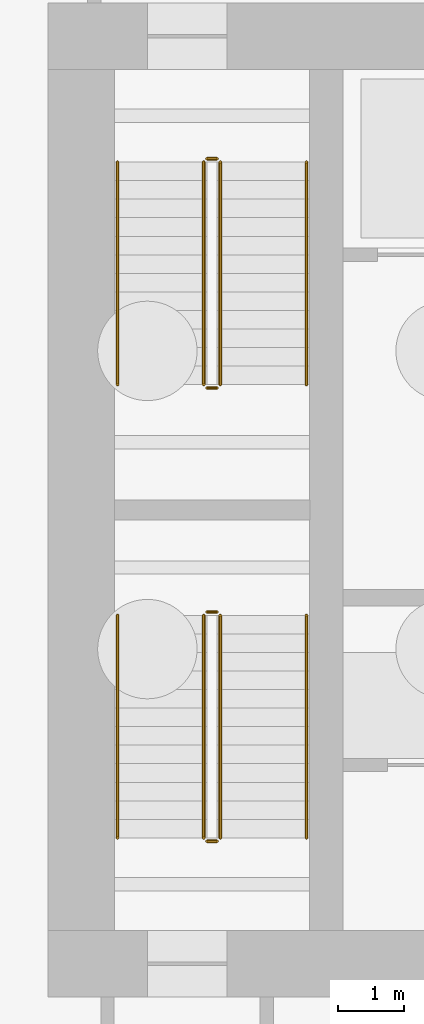
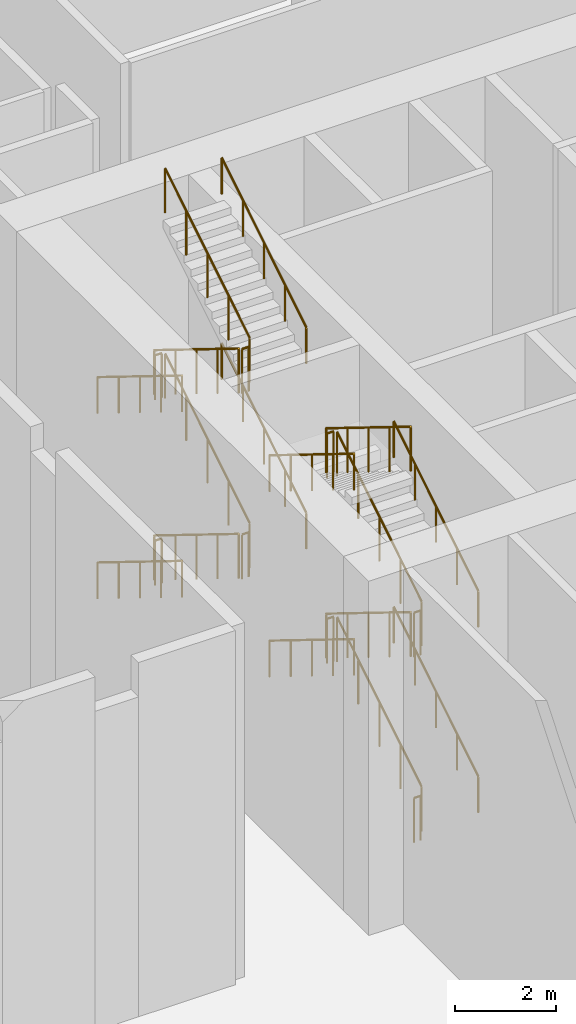
# One storey, part 23 of 32: 24 railings.
"""IFC4 building model written with IfcOpenShell, lengths in metres."""

from ifc_helpers import new_model, si_unit, direction, frame, origin, origin_2d, place, context, subcontext, project, spatial, circle, extrude, material, type_object, element, save


model = new_model("IFC4")

# Units and contexts
model_context = context("Model", 3, precision=1e-05, world=origin(), true_north=direction((0.0, 1.0)))
body_context = subcontext(model_context, "Body", "Model", "MODEL_VIEW")
ifc_project = project(units=[si_unit("LENGTHUNIT", "METRE"), si_unit("AREAUNIT", "SQUARE_METRE"), si_unit("VOLUMEUNIT", "CUBIC_METRE"), si_unit("PLANEANGLEUNIT", "RADIAN"), si_unit("MASSUNIT", "GRAM", prefix="KILO")], contexts=[model_context])

# Site, building, storey
site_placement = place(None, origin())
site = spatial("IfcSite", under=ifc_project, at=site_placement, CompositionType="ELEMENT")
building_placement = place(site_placement, origin())
building = spatial("IfcBuilding", under=site, at=building_placement, Name="Isthmus Gate Tower", CompositionType="ELEMENT")
storey_placement = place(building_placement, origin())
storey = spatial("IfcBuildingStorey", under=building, at=storey_placement, Name="L00", CompositionType="ELEMENT", Elevation=0.0)

# Railings
ifc_material_1 = material(Name="Stainless steel balustrade", Category="steel")
railing_type_1 = type_object("IfcRailingType", Name="STAIR GUARD 1100", PredefinedType="GUARDRAIL", material=ifc_material_1)
railing_1_placement = place(storey_placement, frame((-12.64990234375, 12.60009765625, 0.173095703125)))
element("IfcRailing", 1, at=railing_1_placement, inside=storey, type_object=railing_type_1, Name="L00 ST1 stair guard 1", PredefinedType="GUARDRAIL", context=body_context, shape_type="SweptSolid", body=[
    extrude(circle(Radius=0.02392578125, at=origin_2d()), frame((0.0, 0.0, 1.076171875), z_axis=(0.0, -0.850623216509, 0.525775754039), x_axis=(1.0, 0.0, 0.0)), (0.0, 0.0, 1.0), 3.9501953125),
    extrude(circle(Radius=0.02099609375, at=origin_2d()), origin(), (0.0, 0.0, 1.0), 1.052001953125),
    extrude(circle(Radius=0.02099609375, at=origin_2d()), frame((0.0, -0.840087890625, 0.519287109375)), (0.0, 0.0, 1.0), 1.052001953125),
    extrude(circle(Radius=0.02099609375, at=origin_2d()), frame((0.0, -1.68017578125, 1.03857421875)), (0.0, 0.0, 1.0), 1.052001953125),
    extrude(circle(Radius=0.02099609375, at=origin_2d()), frame((0.0, -2.52001953125, 1.5576171875)), (0.0, 0.0, 1.0), 1.052001953125),
    extrude(circle(Radius=0.02099609375, at=origin_2d()), frame((0.0, -3.360107421875, 2.076904296875)), (0.0, 0.0, 1.0), 1.052001953125),
])
railing_2_placement = place(storey_placement, frame((-12.60009765625, 9.18994140625, 2.25)))
element("IfcRailing", 2, at=railing_2_placement, inside=storey, type_object=railing_type_1, Name="L00 ST1 stair guard 2", PredefinedType="GUARDRAIL", context=body_context, shape_type="SweptSolid", body=[
    extrude(circle(Radius=0.02392578125, at=origin_2d()), frame((0.0, 0.0, 1.076171875), z_axis=(1.0, 0.0, 0.0), x_axis=(0.0, 1.0, 0.0)), (0.0, 0.0, 1.0), 0.150146484375),
    extrude(circle(Radius=0.02099609375, at=origin_2d()), origin(), (0.0, 0.0, 1.0), 1.052001953125),
    extrude(circle(Radius=0.02099609375, at=origin_2d()), frame((0.150146484375, 0.0, 0.0)), (0.0, 0.0, 1.0), 1.052001953125),
])
railing_3_placement = place(storey_placement, frame((-12.39990234375, 9.239990234375, 2.423095703125)))
element("IfcRailing", 3, at=railing_3_placement, inside=storey, type_object=railing_type_1, Name="L00 ST1 stair guard 3", PredefinedType="GUARDRAIL", context=body_context, shape_type="SweptSolid", body=[
    extrude(circle(Radius=0.02392578125, at=origin_2d()), frame((0.0, 0.0, 1.076171875), z_axis=(0.0, 0.850623216509, 0.525775754039), x_axis=(-1.0, 0.0, 0.0)), (0.0, 0.0, 1.0), 3.9501953125),
    extrude(circle(Radius=0.02099609375, at=origin_2d()), origin(), (0.0, 0.0, 1.0), 1.052001953125),
    extrude(circle(Radius=0.02099609375, at=origin_2d()), frame((0.0, 0.840087890625, 0.519287109375)), (0.0, 0.0, 1.0), 1.052001953125),
    extrude(circle(Radius=0.02099609375, at=origin_2d()), frame((0.0, 1.68017578125, 1.03857421875)), (0.0, 0.0, 1.0), 1.052001953125),
    extrude(circle(Radius=0.02099609375, at=origin_2d()), frame((0.0, 2.52001953125, 1.5576171875)), (0.0, 0.0, 1.0), 1.052001953125),
    extrude(circle(Radius=0.02099609375, at=origin_2d()), frame((0.0, 3.360107421875, 2.076904296875)), (0.0, 0.0, 1.0), 1.052001953125),
])
railing_4_placement = place(storey_placement, frame((-12.60009765625, 12.64990234375, 4.5)))
element("IfcRailing", 4, at=railing_4_placement, inside=storey, type_object=railing_type_1, Name="L00 ST1 stair guard 4", PredefinedType="GUARDRAIL", context=body_context, shape_type="SweptSolid", body=[
    extrude(circle(Radius=0.02392578125, at=origin_2d()), frame((0.0, 0.0, 1.076171875), z_axis=(1.0, 0.0, 0.0), x_axis=(0.0, 1.0, 0.0)), (0.0, 0.0, 1.0), 0.150146484375),
    extrude(circle(Radius=0.02099609375, at=origin_2d()), origin(), (0.0, 0.0, 1.0), 1.052001953125),
    extrude(circle(Radius=0.02099609375, at=origin_2d()), frame((0.150146484375, 0.0, 0.0)), (0.0, 0.0, 1.0), 1.052001953125),
])
railing_5_placement = place(storey_placement, frame((-12.64990234375, 12.60009765625, 4.673095703125)))
element("IfcRailing", 5, at=railing_5_placement, inside=storey, type_object=railing_type_1, Name="L00 ST1 stair guard 5", PredefinedType="GUARDRAIL", context=body_context, shape_type="SweptSolid", body=[
    extrude(circle(Radius=0.02392578125, at=origin_2d()), frame((0.0, 0.0, 1.076171875), z_axis=(0.0, -0.850623216509, 0.525775754039), x_axis=(1.0, 0.0, 0.0)), (0.0, 0.0, 1.0), 3.9501953125),
    extrude(circle(Radius=0.02099609375, at=origin_2d()), origin(), (0.0, 0.0, 1.0), 1.052001953125),
    extrude(circle(Radius=0.02099609375, at=origin_2d()), frame((0.0, -0.840087890625, 0.519287109375)), (0.0, 0.0, 1.0), 1.052001953125),
    extrude(circle(Radius=0.02099609375, at=origin_2d()), frame((0.0, -1.68017578125, 1.03857421875)), (0.0, 0.0, 1.0), 1.052001953125),
    extrude(circle(Radius=0.02099609375, at=origin_2d()), frame((0.0, -2.52001953125, 1.5576171875)), (0.0, 0.0, 1.0), 1.052001953125),
    extrude(circle(Radius=0.02099609375, at=origin_2d()), frame((0.0, -3.360107421875, 2.076904296875)), (0.0, 0.0, 1.0), 1.052001953125),
])
railing_6_placement = place(storey_placement, frame((-12.60009765625, 9.18994140625, 6.75)))
element("IfcRailing", 6, at=railing_6_placement, inside=storey, type_object=railing_type_1, Name="L00 ST1 stair guard 6", PredefinedType="GUARDRAIL", context=body_context, shape_type="SweptSolid", body=[
    extrude(circle(Radius=0.02392578125, at=origin_2d()), frame((0.0, 0.0, 1.076171875), z_axis=(1.0, 0.0, 0.0), x_axis=(0.0, 1.0, 0.0)), (0.0, 0.0, 1.0), 0.150146484375),
    extrude(circle(Radius=0.02099609375, at=origin_2d()), origin(), (0.0, 0.0, 1.0), 1.052001953125),
    extrude(circle(Radius=0.02099609375, at=origin_2d()), frame((0.150146484375, 0.0, 0.0)), (0.0, 0.0, 1.0), 1.052001953125),
])
railing_7_placement = place(storey_placement, frame((-12.39990234375, 9.239990234375, 6.923095703125)))
element("IfcRailing", 7, at=railing_7_placement, inside=storey, type_object=railing_type_1, Name="L00 ST1 stair guard 7", PredefinedType="GUARDRAIL", context=body_context, shape_type="SweptSolid", body=[
    extrude(circle(Radius=0.02392578125, at=origin_2d()), frame((0.0, 0.0, 1.076171875), z_axis=(0.0, 0.850623216509, 0.525775754039), x_axis=(-1.0, 0.0, 0.0)), (0.0, 0.0, 1.0), 3.9501953125),
    extrude(circle(Radius=0.02099609375, at=origin_2d()), origin(), (0.0, 0.0, 1.0), 1.052001953125),
    extrude(circle(Radius=0.02099609375, at=origin_2d()), frame((0.0, 0.840087890625, 0.519287109375)), (0.0, 0.0, 1.0), 1.052001953125),
    extrude(circle(Radius=0.02099609375, at=origin_2d()), frame((0.0, 1.68017578125, 1.03857421875)), (0.0, 0.0, 1.0), 1.052001953125),
    extrude(circle(Radius=0.02099609375, at=origin_2d()), frame((0.0, 2.52001953125, 1.5576171875)), (0.0, 0.0, 1.0), 1.052001953125),
    extrude(circle(Radius=0.02099609375, at=origin_2d()), frame((0.0, 3.360107421875, 2.076904296875)), (0.0, 0.0, 1.0), 1.052001953125),
])
railing_8_placement = place(storey_placement, frame((-12.60009765625, 12.64990234375, 0.0)))
element("IfcRailing", 8, at=railing_8_placement, inside=storey, type_object=railing_type_1, Name="L00 ST1 stair guard 8", PredefinedType="GUARDRAIL", context=body_context, shape_type="SweptSolid", body=[
    extrude(circle(Radius=0.02392578125, at=origin_2d()), frame((0.0, 0.0, 1.076171875), z_axis=(1.0, 0.0, 0.0), x_axis=(0.0, 1.0, 0.0)), (0.0, 0.0, 1.0), 0.150146484375),
    extrude(circle(Radius=0.02099609375, at=origin_2d()), origin(), (0.0, 0.0, 1.0), 1.052001953125),
    extrude(circle(Radius=0.02099609375, at=origin_2d()), frame((0.150146484375, 0.0, 0.0)), (0.0, 0.0, 1.0), 1.052001953125),
])
railing_9_placement = place(storey_placement, frame((-12.39990234375, 2.39990234375, 0.173095703125)))
element("IfcRailing", 9, at=railing_9_placement, inside=storey, type_object=railing_type_1, Name="L00 ST7 stair guard 1", PredefinedType="GUARDRAIL", context=body_context, shape_type="SweptSolid", body=[
    extrude(circle(Radius=0.02392578125, at=origin_2d()), frame((0.0, 0.0, 1.076171875), z_axis=(0.0, 0.850623216509, 0.525775754039), x_axis=(-1.0, 0.0, 0.0)), (0.0, 0.0, 1.0), 3.9501953125),
    extrude(circle(Radius=0.02099609375, at=origin_2d()), origin(), (0.0, 0.0, 1.0), 1.052001953125),
    extrude(circle(Radius=0.02099609375, at=origin_2d()), frame((0.0, 0.840087890625, 0.519287109375)), (0.0, 0.0, 1.0), 1.052001953125),
    extrude(circle(Radius=0.02099609375, at=origin_2d()), frame((0.0, 1.68017578125, 1.03857421875)), (0.0, 0.0, 1.0), 1.052001953125),
    extrude(circle(Radius=0.02099609375, at=origin_2d()), frame((0.0, 2.52001953125, 1.5576171875)), (0.0, 0.0, 1.0), 1.052001953125),
    extrude(circle(Radius=0.02099609375, at=origin_2d()), frame((0.0, 3.360107421875, 2.076904296875)), (0.0, 0.0, 1.0), 1.052001953125),
])
railing_10_placement = place(storey_placement, frame((-12.449951171875, 5.81005859375, 2.25)))
element("IfcRailing", 10, at=railing_10_placement, inside=storey, type_object=railing_type_1, Name="L00 ST7 stair guard 2", PredefinedType="GUARDRAIL", context=body_context, shape_type="SweptSolid", body=[
    extrude(circle(Radius=0.02392578125, at=origin_2d()), frame((0.0, 0.0, 1.076171875), z_axis=(-1.0, 0.0, 0.0), x_axis=(0.0, -1.0, 0.0)), (0.0, 0.0, 1.0), 0.150146484375),
    extrude(circle(Radius=0.02099609375, at=origin_2d()), origin(), (0.0, 0.0, 1.0), 1.052001953125),
    extrude(circle(Radius=0.02099609375, at=origin_2d()), frame((-0.150146484375, 0.0, 0.0)), (0.0, 0.0, 1.0), 1.052001953125),
])
railing_11_placement = place(storey_placement, frame((-12.64990234375, 5.760009765625, 2.423095703125)))
element("IfcRailing", 11, at=railing_11_placement, inside=storey, type_object=railing_type_1, Name="L00 ST7 stair guard 3", PredefinedType="GUARDRAIL", context=body_context, shape_type="SweptSolid", body=[
    extrude(circle(Radius=0.02392578125, at=origin_2d()), frame((0.0, 0.0, 1.076171875), z_axis=(0.0, -0.850623216509, 0.525775754039), x_axis=(1.0, 0.0, 0.0)), (0.0, 0.0, 1.0), 3.9501953125),
    extrude(circle(Radius=0.02099609375, at=origin_2d()), origin(), (0.0, 0.0, 1.0), 1.052001953125),
    extrude(circle(Radius=0.02099609375, at=origin_2d()), frame((0.0, -0.840087890625, 0.519287109375)), (0.0, 0.0, 1.0), 1.052001953125),
    extrude(circle(Radius=0.02099609375, at=origin_2d()), frame((0.0, -1.68017578125, 1.03857421875)), (0.0, 0.0, 1.0), 1.052001953125),
    extrude(circle(Radius=0.02099609375, at=origin_2d()), frame((0.0, -2.52001953125, 1.5576171875)), (0.0, 0.0, 1.0), 1.052001953125),
    extrude(circle(Radius=0.02099609375, at=origin_2d()), frame((0.0, -3.360107421875, 2.076904296875)), (0.0, 0.0, 1.0), 1.052001953125),
])
railing_12_placement = place(storey_placement, frame((-12.449951171875, 2.35009765625, 4.5)))
element("IfcRailing", 12, at=railing_12_placement, inside=storey, type_object=railing_type_1, Name="L00 ST7 stair guard 4", PredefinedType="GUARDRAIL", context=body_context, shape_type="SweptSolid", body=[
    extrude(circle(Radius=0.02392578125, at=origin_2d()), frame((0.0, 0.0, 1.076171875), z_axis=(-1.0, 0.0, 0.0), x_axis=(0.0, -1.0, 0.0)), (0.0, 0.0, 1.0), 0.150146484375),
    extrude(circle(Radius=0.02099609375, at=origin_2d()), origin(), (0.0, 0.0, 1.0), 1.052001953125),
    extrude(circle(Radius=0.02099609375, at=origin_2d()), frame((-0.150146484375, 0.0, 0.0)), (0.0, 0.0, 1.0), 1.052001953125),
])
railing_13_placement = place(storey_placement, frame((-12.39990234375, 2.39990234375, 4.673095703125)))
element("IfcRailing", 13, at=railing_13_placement, inside=storey, type_object=railing_type_1, Name="L00 ST7 stair guard 5", PredefinedType="GUARDRAIL", context=body_context, shape_type="SweptSolid", body=[
    extrude(circle(Radius=0.02392578125, at=origin_2d()), frame((0.0, 0.0, 1.076171875), z_axis=(0.0, 0.850623216509, 0.525775754039), x_axis=(-1.0, 0.0, 0.0)), (0.0, 0.0, 1.0), 3.9501953125),
    extrude(circle(Radius=0.02099609375, at=origin_2d()), origin(), (0.0, 0.0, 1.0), 1.052001953125),
    extrude(circle(Radius=0.02099609375, at=origin_2d()), frame((0.0, 0.840087890625, 0.519287109375)), (0.0, 0.0, 1.0), 1.052001953125),
    extrude(circle(Radius=0.02099609375, at=origin_2d()), frame((0.0, 1.68017578125, 1.03857421875)), (0.0, 0.0, 1.0), 1.052001953125),
    extrude(circle(Radius=0.02099609375, at=origin_2d()), frame((0.0, 2.52001953125, 1.5576171875)), (0.0, 0.0, 1.0), 1.052001953125),
    extrude(circle(Radius=0.02099609375, at=origin_2d()), frame((0.0, 3.360107421875, 2.076904296875)), (0.0, 0.0, 1.0), 1.052001953125),
])
railing_14_placement = place(storey_placement, frame((-12.449951171875, 5.81005859375, 6.75)))
element("IfcRailing", 14, at=railing_14_placement, inside=storey, type_object=railing_type_1, Name="L00 ST7 stair guard 6", PredefinedType="GUARDRAIL", context=body_context, shape_type="SweptSolid", body=[
    extrude(circle(Radius=0.02392578125, at=origin_2d()), frame((0.0, 0.0, 1.076171875), z_axis=(-1.0, 0.0, 0.0), x_axis=(0.0, -1.0, 0.0)), (0.0, 0.0, 1.0), 0.150146484375),
    extrude(circle(Radius=0.02099609375, at=origin_2d()), origin(), (0.0, 0.0, 1.0), 1.052001953125),
    extrude(circle(Radius=0.02099609375, at=origin_2d()), frame((-0.150146484375, 0.0, 0.0)), (0.0, 0.0, 1.0), 1.052001953125),
])
railing_15_placement = place(storey_placement, frame((-12.64990234375, 5.760009765625, 6.923095703125)))
element("IfcRailing", 15, at=railing_15_placement, inside=storey, type_object=railing_type_1, Name="L00 ST7 stair guard 7", PredefinedType="GUARDRAIL", context=body_context, shape_type="SweptSolid", body=[
    extrude(circle(Radius=0.02392578125, at=origin_2d()), frame((0.0, 0.0, 1.076171875), z_axis=(0.0, -0.850623216509, 0.525775754039), x_axis=(1.0, 0.0, 0.0)), (0.0, 0.0, 1.0), 3.9501953125),
    extrude(circle(Radius=0.02099609375, at=origin_2d()), origin(), (0.0, 0.0, 1.0), 1.052001953125),
    extrude(circle(Radius=0.02099609375, at=origin_2d()), frame((0.0, -0.840087890625, 0.519287109375)), (0.0, 0.0, 1.0), 1.052001953125),
    extrude(circle(Radius=0.02099609375, at=origin_2d()), frame((0.0, -1.68017578125, 1.03857421875)), (0.0, 0.0, 1.0), 1.052001953125),
    extrude(circle(Radius=0.02099609375, at=origin_2d()), frame((0.0, -2.52001953125, 1.5576171875)), (0.0, 0.0, 1.0), 1.052001953125),
    extrude(circle(Radius=0.02099609375, at=origin_2d()), frame((0.0, -3.360107421875, 2.076904296875)), (0.0, 0.0, 1.0), 1.052001953125),
])
railing_16_placement = place(storey_placement, frame((-12.449951171875, 2.35009765625, 0.0)))
element("IfcRailing", 16, at=railing_16_placement, inside=storey, type_object=railing_type_1, Name="L00 ST7 stair guard 8", PredefinedType="GUARDRAIL", context=body_context, shape_type="SweptSolid", body=[
    extrude(circle(Radius=0.02392578125, at=origin_2d()), frame((0.0, 0.0, 1.076171875), z_axis=(-1.0, 0.0, 0.0), x_axis=(0.0, -1.0, 0.0)), (0.0, 0.0, 1.0), 0.150146484375),
    extrude(circle(Radius=0.02099609375, at=origin_2d()), origin(), (0.0, 0.0, 1.0), 1.052001953125),
    extrude(circle(Radius=0.02099609375, at=origin_2d()), frame((-0.150146484375, 0.0, 0.0)), (0.0, 0.0, 1.0), 1.052001953125),
])
ifc_material_2 = material(Name="Stainless steel handrail", Category="steel")
railing_type_2 = type_object("IfcRailingType", Name="STAIR HANDRAIL 900", PredefinedType="HANDRAIL", material=ifc_material_2)
railing_17_placement = place(storey_placement, frame((-13.949951171875, 12.60009765625, 0.173095703125)))
element("IfcRailing", 17, at=railing_17_placement, inside=storey, type_object=railing_type_2, Name="L00 ST1 stair handrail 1", PredefinedType="HANDRAIL", context=body_context, shape_type="SweptSolid", body=[
    extrude(circle(Radius=0.02392578125, at=origin_2d()), frame((0.0, 0.0, 0.8759765625), z_axis=(0.0, -0.850623216509, 0.525775754039), x_axis=(1.0, 0.0, 0.0)), (0.0, 0.0, 1.0), 3.9501953125),
    extrude(circle(Radius=0.02099609375, at=origin_2d()), origin(), (0.0, 0.0, 1.0), 0.851806640625),
    extrude(circle(Radius=0.02099609375, at=origin_2d()), frame((0.0, -0.840087890625, 0.519287109375)), (0.0, 0.0, 1.0), 0.851806640625),
    extrude(circle(Radius=0.02099609375, at=origin_2d()), frame((0.0, -1.68017578125, 1.03857421875)), (0.0, 0.0, 1.0), 0.851806640625),
    extrude(circle(Radius=0.02099609375, at=origin_2d()), frame((0.0, -2.52001953125, 1.5576171875)), (0.0, 0.0, 1.0), 0.851806640625),
    extrude(circle(Radius=0.02099609375, at=origin_2d()), frame((0.0, -3.360107421875, 2.076904296875)), (0.0, 0.0, 1.0), 0.851806640625),
])
railing_18_placement = place(storey_placement, frame((-11.10009765625, 9.239990234375, 2.423095703125)))
element("IfcRailing", 18, at=railing_18_placement, inside=storey, type_object=railing_type_2, Name="L00 ST1 stair handrail 2", PredefinedType="HANDRAIL", context=body_context, shape_type="SweptSolid", body=[
    extrude(circle(Radius=0.02392578125, at=origin_2d()), frame((0.0, 0.0, 0.8759765625), z_axis=(0.0, 0.850623216509, 0.525775754039), x_axis=(-1.0, 0.0, 0.0)), (0.0, 0.0, 1.0), 3.9501953125),
    extrude(circle(Radius=0.02099609375, at=origin_2d()), origin(), (0.0, 0.0, 1.0), 0.851806640625),
    extrude(circle(Radius=0.02099609375, at=origin_2d()), frame((0.0, 0.840087890625, 0.519287109375)), (0.0, 0.0, 1.0), 0.851806640625),
    extrude(circle(Radius=0.02099609375, at=origin_2d()), frame((0.0, 1.68017578125, 1.03857421875)), (0.0, 0.0, 1.0), 0.851806640625),
    extrude(circle(Radius=0.02099609375, at=origin_2d()), frame((0.0, 2.52001953125, 1.5576171875)), (0.0, 0.0, 1.0), 0.851806640625),
    extrude(circle(Radius=0.02099609375, at=origin_2d()), frame((0.0, 3.360107421875, 2.076904296875)), (0.0, 0.0, 1.0), 0.851806640625),
])
railing_19_placement = place(storey_placement, frame((-13.949951171875, 12.60009765625, 4.673095703125)))
element("IfcRailing", 19, at=railing_19_placement, inside=storey, type_object=railing_type_2, Name="L00 ST1 stair handrail 3", PredefinedType="HANDRAIL", context=body_context, shape_type="SweptSolid", body=[
    extrude(circle(Radius=0.02392578125, at=origin_2d()), frame((0.0, 0.0, 0.8759765625), z_axis=(0.0, -0.850623216509, 0.525775754039), x_axis=(1.0, 0.0, 0.0)), (0.0, 0.0, 1.0), 3.9501953125),
    extrude(circle(Radius=0.02099609375, at=origin_2d()), origin(), (0.0, 0.0, 1.0), 0.851806640625),
    extrude(circle(Radius=0.02099609375, at=origin_2d()), frame((0.0, -0.840087890625, 0.519287109375)), (0.0, 0.0, 1.0), 0.851806640625),
    extrude(circle(Radius=0.02099609375, at=origin_2d()), frame((0.0, -1.68017578125, 1.03857421875)), (0.0, 0.0, 1.0), 0.851806640625),
    extrude(circle(Radius=0.02099609375, at=origin_2d()), frame((0.0, -2.52001953125, 1.5576171875)), (0.0, 0.0, 1.0), 0.851806640625),
    extrude(circle(Radius=0.02099609375, at=origin_2d()), frame((0.0, -3.360107421875, 2.076904296875)), (0.0, 0.0, 1.0), 0.851806640625),
])
for number, where, name in (
    (20, (-11.10009765625, 9.239990234375, 6.923095703125), "L00 ST1 stair handrail 4"),
    (21, (-11.10009765625, 2.39990234375, 0.173095703125), "L00 ST7 stair handrail 1"),
):
    element("IfcRailing", number, at=place(storey_placement, frame(where)), inside=storey, type_object=railing_type_2, Name=name, PredefinedType="HANDRAIL", context=body_context, shape_type="SweptSolid", body=[
        extrude(circle(Radius=0.02392578125, at=origin_2d()), frame((0.0, 0.0, 0.8759765625), z_axis=(0.0, 0.850623216509, 0.525775754039), x_axis=(-1.0, 0.0, 0.0)), (0.0, 0.0, 1.0), 3.9501953125),
        extrude(circle(Radius=0.02099609375, at=origin_2d()), origin(), (0.0, 0.0, 1.0), 0.851806640625),
        extrude(circle(Radius=0.02099609375, at=origin_2d()), frame((0.0, 0.840087890625, 0.519287109375)), (0.0, 0.0, 1.0), 0.851806640625),
        extrude(circle(Radius=0.02099609375, at=origin_2d()), frame((0.0, 1.68017578125, 1.03857421875)), (0.0, 0.0, 1.0), 0.851806640625),
        extrude(circle(Radius=0.02099609375, at=origin_2d()), frame((0.0, 2.52001953125, 1.5576171875)), (0.0, 0.0, 1.0), 0.851806640625),
        extrude(circle(Radius=0.02099609375, at=origin_2d()), frame((0.0, 3.360107421875, 2.076904296875)), (0.0, 0.0, 1.0), 0.851806640625),
    ])
railing_20_placement = place(storey_placement, frame((-13.949951171875, 5.760009765625, 2.423095703125)))
element("IfcRailing", 22, at=railing_20_placement, inside=storey, type_object=railing_type_2, Name="L00 ST7 stair handrail 2", PredefinedType="HANDRAIL", context=body_context, shape_type="SweptSolid", body=[
    extrude(circle(Radius=0.02392578125, at=origin_2d()), frame((0.0, 0.0, 0.8759765625), z_axis=(0.0, -0.850623216509, 0.525775754039), x_axis=(1.0, 0.0, 0.0)), (0.0, 0.0, 1.0), 3.9501953125),
    extrude(circle(Radius=0.02099609375, at=origin_2d()), origin(), (0.0, 0.0, 1.0), 0.851806640625),
    extrude(circle(Radius=0.02099609375, at=origin_2d()), frame((0.0, -0.840087890625, 0.519287109375)), (0.0, 0.0, 1.0), 0.851806640625),
    extrude(circle(Radius=0.02099609375, at=origin_2d()), frame((0.0, -1.68017578125, 1.03857421875)), (0.0, 0.0, 1.0), 0.851806640625),
    extrude(circle(Radius=0.02099609375, at=origin_2d()), frame((0.0, -2.52001953125, 1.5576171875)), (0.0, 0.0, 1.0), 0.851806640625),
    extrude(circle(Radius=0.02099609375, at=origin_2d()), frame((0.0, -3.360107421875, 2.076904296875)), (0.0, 0.0, 1.0), 0.851806640625),
])
railing_21_placement = place(storey_placement, frame((-11.10009765625, 2.39990234375, 4.673095703125)))
element("IfcRailing", 23, at=railing_21_placement, inside=storey, type_object=railing_type_2, Name="L00 ST7 stair handrail 3", PredefinedType="HANDRAIL", context=body_context, shape_type="SweptSolid", body=[
    extrude(circle(Radius=0.02392578125, at=origin_2d()), frame((0.0, 0.0, 0.8759765625), z_axis=(0.0, 0.850623216509, 0.525775754039), x_axis=(-1.0, 0.0, 0.0)), (0.0, 0.0, 1.0), 3.9501953125),
    extrude(circle(Radius=0.02099609375, at=origin_2d()), origin(), (0.0, 0.0, 1.0), 0.851806640625),
    extrude(circle(Radius=0.02099609375, at=origin_2d()), frame((0.0, 0.840087890625, 0.519287109375)), (0.0, 0.0, 1.0), 0.851806640625),
    extrude(circle(Radius=0.02099609375, at=origin_2d()), frame((0.0, 1.68017578125, 1.03857421875)), (0.0, 0.0, 1.0), 0.851806640625),
    extrude(circle(Radius=0.02099609375, at=origin_2d()), frame((0.0, 2.52001953125, 1.5576171875)), (0.0, 0.0, 1.0), 0.851806640625),
    extrude(circle(Radius=0.02099609375, at=origin_2d()), frame((0.0, 3.360107421875, 2.076904296875)), (0.0, 0.0, 1.0), 0.851806640625),
])
railing_22_placement = place(storey_placement, frame((-13.949951171875, 5.760009765625, 6.923095703125)))
element("IfcRailing", 24, at=railing_22_placement, inside=storey, type_object=railing_type_2, Name="L00 ST7 stair handrail 4", PredefinedType="HANDRAIL", context=body_context, shape_type="SweptSolid", body=[
    extrude(circle(Radius=0.02392578125, at=origin_2d()), frame((0.0, 0.0, 0.8759765625), z_axis=(0.0, -0.850623216509, 0.525775754039), x_axis=(1.0, 0.0, 0.0)), (0.0, 0.0, 1.0), 3.9501953125),
    extrude(circle(Radius=0.02099609375, at=origin_2d()), origin(), (0.0, 0.0, 1.0), 0.851806640625),
    extrude(circle(Radius=0.02099609375, at=origin_2d()), frame((0.0, -0.840087890625, 0.519287109375)), (0.0, 0.0, 1.0), 0.851806640625),
    extrude(circle(Radius=0.02099609375, at=origin_2d()), frame((0.0, -1.68017578125, 1.03857421875)), (0.0, 0.0, 1.0), 0.851806640625),
    extrude(circle(Radius=0.02099609375, at=origin_2d()), frame((0.0, -2.52001953125, 1.5576171875)), (0.0, 0.0, 1.0), 0.851806640625),
    extrude(circle(Radius=0.02099609375, at=origin_2d()), frame((0.0, -3.360107421875, 2.076904296875)), (0.0, 0.0, 1.0), 0.851806640625),
])

save(model, "model.ifc")
